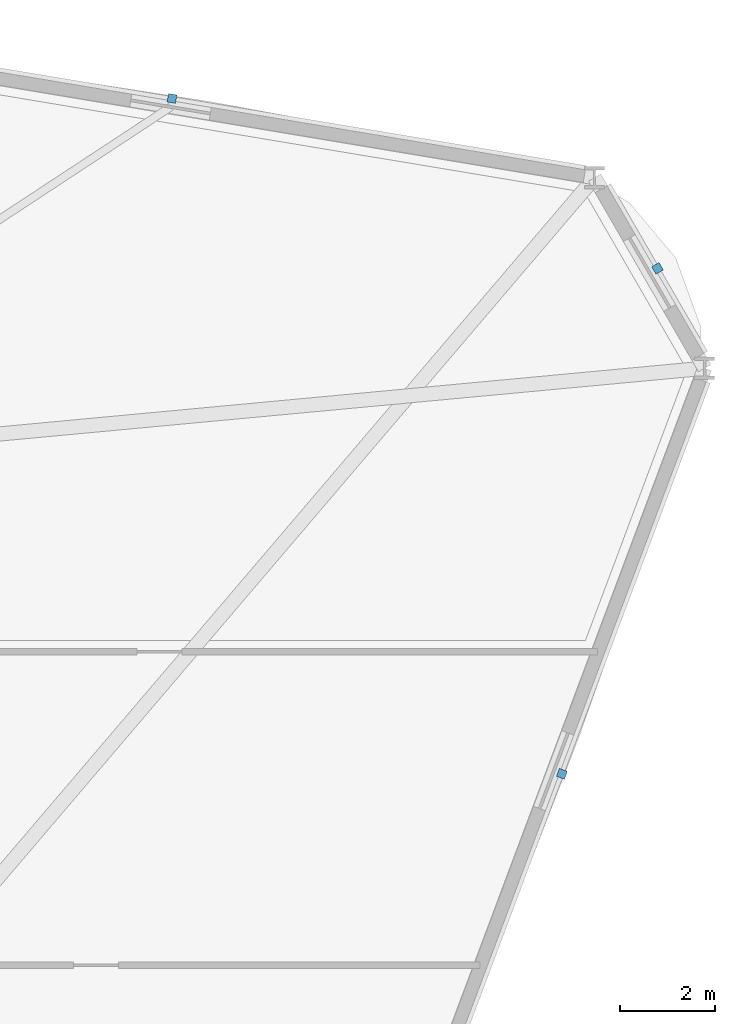
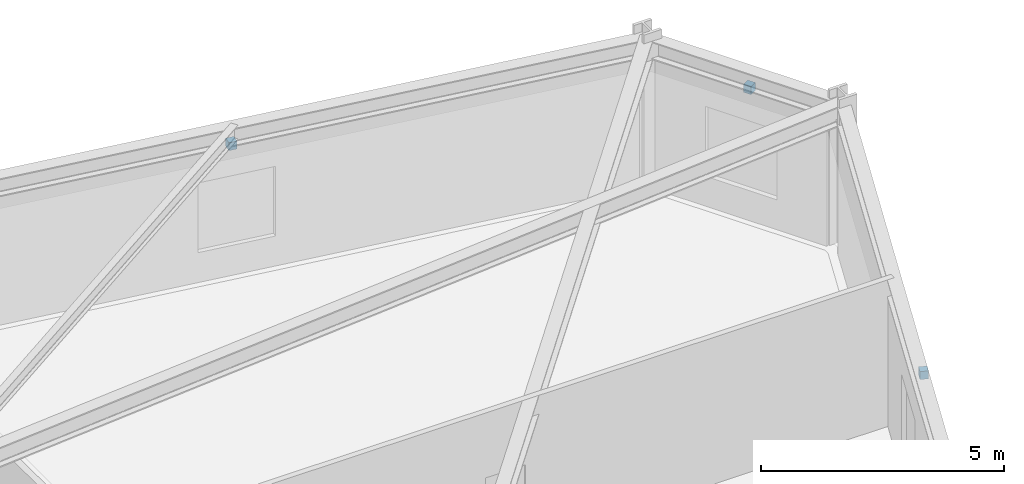
# One storey, part 17 of 20: 3 discrete accessories.
"""IFC4 building model written with IfcOpenShell, lengths in metres."""

import ifcopenshell
import ifcopenshell.guid

model = None  # the IFC model being written
_history = None  # IfcOwnerHistory: only IFC2X3 demands one
_inside = {}  # id of a spatial element -> (the spatial element, [elements in it])
_under = {}  # id of a project, library or spatial element -> (it, [spatial elements below it])
_declared = {}  # id of a project -> (the project, [libraries it declares])
_typed = {}  # id of a type object -> (the type object, [elements of that type])
_made_of = {}  # id of a material, layer set ... -> (it, [elements and type objects made of it])


def new_model(schema):
    """Start an empty IFC model of exactly this schema.

    Asked for "IFC4X3", IfcOpenShell would pick the latest addendum, in which some entities
    have other attributes; the version numbers below select the first issue.
    IFC2X3 requires an IfcOwnerHistory on every rooted entity: one is made here for all.
    """
    global model, _history
    if schema == "IFC4X3":
        model = ifcopenshell.file(schema_version=(4, 3, 0, 0))
    else:
        model = ifcopenshell.file(schema=schema)
    _inside.clear()
    _under.clear()
    _declared.clear()
    _typed.clear()
    _made_of.clear()
    _history = None
    if model.schema == "IFC2X3":
        org = make("IfcOrganization", Name="unknown")
        user = make(
            "IfcPersonAndOrganization",
            ThePerson=make("IfcPerson", FamilyName="unknown"),
            TheOrganization=org,
        )
        app = make(
            "IfcApplication",
            ApplicationDeveloper=org,
            Version="unknown",
            ApplicationFullName="unknown",
            ApplicationIdentifier="unknown",
        )
        _history = make(
            "IfcOwnerHistory",
            OwningUser=user,
            OwningApplication=app,
            ChangeAction="ADDED",
            CreationDate=0,
        )
    return model


def make(cls, **values):
    """One entity of the class cls with the attributes given. An attribute that is None is left unset."""
    return model.create_entity(
        cls, **{name: value for name, value in values.items() if value is not None}
    )


def rooted(cls, **values):
    """An entity with a GlobalId (a new one), such as an element, a storey or a relation."""
    return make(cls, GlobalId=ifcopenshell.guid.new(), OwnerHistory=_history, **values)


def si_unit(unit_type, name, prefix=None):
    """IfcSIUnit, for example si_unit("LENGTHUNIT", "METRE", prefix="MILLI")."""
    return make("IfcSIUnit", UnitType=unit_type, Prefix=prefix, Name=name)


def derived_unit(unit_type, elements):
    """IfcDerivedUnit: a product of units, each with its exponent."""
    return make(
        "IfcDerivedUnit",
        Elements=[
            make("IfcDerivedUnitElement", Unit=unit, Exponent=power)
            for unit, power in elements
        ],
        UnitType=unit_type,
    )


def assignment(units):
    """IfcUnitAssignment: the units of a project."""
    return None if units is None else make("IfcUnitAssignment", Units=units)


def point(xyz):
    """IfcCartesianPoint."""
    return None if xyz is None else make("IfcCartesianPoint", Coordinates=xyz)


def direction(xyz):
    """IfcDirection."""
    return None if xyz is None else make("IfcDirection", DirectionRatios=xyz)


def frame(location, z_axis=None, x_axis=None):
    """IfcAxis2Placement3D, a coordinate frame: its origin and axes. An axis left out is left unset."""
    return make(
        "IfcAxis2Placement3D",
        Location=point(location),
        Axis=direction(z_axis),
        RefDirection=direction(x_axis),
    )


def frame_2d(location, x_axis=None):
    """IfcAxis2Placement2D, a coordinate frame in the plane: its origin and x axis."""
    return make(
        "IfcAxis2Placement2D", Location=point(location), RefDirection=direction(x_axis)
    )


def origin():
    """The frame at (0, 0, 0) with its axes left unset."""
    return frame((0.0, 0.0, 0.0))


def origin_2d():
    """The frame at (0, 0) in the plane with its x axis left unset."""
    return frame_2d((0.0, 0.0))


def place(relative_to, where):
    """IfcLocalPlacement: puts the frame where relative to a parent placement (None: the world)."""
    return make(
        "IfcLocalPlacement", PlacementRelTo=relative_to, RelativePlacement=where
    )


def context(
    kind, dimensions, precision=None, world=None, true_north=None, identifier=None
):
    """IfcGeometricRepresentationContext, for example the 3D "Model" context."""
    return make(
        "IfcGeometricRepresentationContext",
        ContextIdentifier=identifier,
        ContextType=kind,
        CoordinateSpaceDimension=dimensions,
        Precision=precision,
        WorldCoordinateSystem=world,
        TrueNorth=true_north,
    )


def subcontext(parent, identifier, kind, view, scale=None):
    """IfcGeometricRepresentationSubContext, for example "Body" below "Model"."""
    return make(
        "IfcGeometricRepresentationSubContext",
        ContextIdentifier=identifier,
        ContextType=kind,
        ParentContext=parent,
        TargetScale=scale,
        TargetView=view,
    )


def project(units=None, contexts=None):
    """IfcProject with its units and contexts."""
    return rooted(
        "IfcProject",
        Name="project",
        RepresentationContexts=contexts,
        UnitsInContext=assignment(units),
    )


def spatial(cls, under=None, at=None, **own):
    """A site, building, storey or space (cls), placed at a placement, below another one or the project."""
    s = rooted(cls, ObjectPlacement=at, **own)
    if under is not None:
        _under.setdefault(under.id(), (under, []))[1].append(s)
    return s


def profile(cls, at=None, kind="AREA", **sizes):
    """A parametric profile (cls). Its sizes go by their IFC names, for example OverallWidth=200.0."""
    return make(cls, ProfileType=kind, Position=at, **sizes)


def rectangle(**sizes):
    """IfcRectangleProfileDef."""
    return profile("IfcRectangleProfileDef", **sizes)


def extrude(swept, where, along, depth):
    """IfcExtrudedAreaSolid: the profile swept, set in the frame where, extruded along a direction by depth."""
    return make(
        "IfcExtrudedAreaSolid",
        SweptArea=swept,
        Position=where,
        ExtrudedDirection=direction(along),
        Depth=depth,
    )


def shape(context_of_items, identifier, shape_type, items):
    """IfcShapeRepresentation: the items that make up one representation, for example the "Body"."""
    return make(
        "IfcShapeRepresentation",
        ContextOfItems=context_of_items,
        RepresentationIdentifier=identifier,
        RepresentationType=shape_type,
        Items=items,
    )


def source(mapping_origin, context_of_items, identifier, shape_type, items):
    """IfcRepresentationMap: a shape defined once, which mapped items show again and again."""
    return make(
        "IfcRepresentationMap",
        MappingOrigin=mapping_origin,
        MappedRepresentation=shape(context_of_items, identifier, shape_type, items),
    )


def transform(
    local_origin,
    x_axis=None,
    y_axis=None,
    z_axis=None,
    scale=None,
    scale2=None,
    scale3=None,
    uniform=True,
):
    """IfcCartesianTransformationOperator3D, or its non-uniform kind. x_axis, y_axis, z_axis: its Axis1, 2, 3."""
    if uniform:
        return make(
            "IfcCartesianTransformationOperator3D",
            Axis1=direction(x_axis),
            Axis2=direction(y_axis),
            LocalOrigin=point(local_origin),
            Scale=scale,
            Axis3=direction(z_axis),
        )
    return make(
        "IfcCartesianTransformationOperator3DnonUniform",
        Axis1=direction(x_axis),
        Axis2=direction(y_axis),
        LocalOrigin=point(local_origin),
        Scale=scale,
        Axis3=direction(z_axis),
        Scale2=scale2,
        Scale3=scale3,
    )


def mapped(mapping_source, mapping_target):
    """IfcMappedItem: shows the shape of a source again, moved by a transform."""
    return make(
        "IfcMappedItem", MappingSource=mapping_source, MappingTarget=mapping_target
    )


def material(Name=None, Category=None):
    """IfcMaterial."""
    return make("IfcMaterial", Name=Name, Category=Category)


def made_of(thing, what):
    """Note that an element or type object is made of a material, layer set ...; save() writes the relation."""
    if what is not None:
        _made_of.setdefault(what.id(), (what, []))[1].append(thing)
    return thing


def type_object(cls, material=None, **own):
    """A type object (cls), such as IfcWallType, which elements share."""
    return made_of(rooted(cls, **own), material)


def element(
    cls,
    number,
    at=None,
    inside=None,
    cuts=None,
    type_object=None,
    material=None,
    context=None,
    identifier="Body",
    shape_type=None,
    held_by="IfcProductDefinitionShape",
    body=None,
    shapes=None,
    **own,
):
    """One element of the class cls, such as IfcWall. Its Tag is "e" and its number.

    at: its placement. inside: the storey or other place that contains it. cuts: it is an
    opening in that element (IfcRelVoidsElement). A single representation is given by context,
    identifier, shape_type and body (its items); several are given by shapes. held_by: the class
    of the entity that holds the representations. save() writes the other relations.
    """
    e = rooted(cls, Tag="e%d" % number, ObjectPlacement=at, **own)
    if body is not None:
        shapes = [shape(context, identifier, shape_type, body)]
    if shapes is not None:
        e.Representation = make(held_by, Representations=shapes)
    if inside is not None:
        _inside.setdefault(inside.id(), (inside, []))[1].append(e)
    if cuts is not None:
        rooted(
            "IfcRelVoidsElement", RelatingBuildingElement=cuts, RelatedOpeningElement=e
        )
    if type_object is not None:
        _typed.setdefault(type_object.id(), (type_object, []))[1].append(e)
    return made_of(e, material)


def aggregate(whole, parts):
    """IfcRelAggregates: a whole, such as a stair, and the parts it consists of."""
    return rooted("IfcRelAggregates", RelatingObject=whole, RelatedObjects=parts)


def save(model, path):
    """Write the relations noted so far, then the file.

    IfcRelAggregates (storeys below a building ...), IfcRelContainedInSpatialStructure (elements
    in a storey), IfcRelDefinesByType, IfcRelAssociatesMaterial and IfcRelDeclares: one each for
    every whole, place, type object, material and project.
    """
    for whole, parts in _under.values():
        aggregate(whole, parts)
    for where, things in _inside.values():
        rooted(
            "IfcRelContainedInSpatialStructure",
            RelatedElements=things,
            RelatingStructure=where,
        )
    for kind, things in _typed.values():
        rooted("IfcRelDefinesByType", RelatedObjects=things, RelatingType=kind)
    for what, things in _made_of.values():
        rooted("IfcRelAssociatesMaterial", RelatedObjects=things, RelatingMaterial=what)
    for by, libraries in _declared.values():
        rooted("IfcRelDeclares", RelatingContext=by, RelatedDefinitions=libraries)
    model.write(path)


model = new_model("IFC4")

# Units and contexts
model_context = context("Model", 3, precision=1e-05, world=origin(), true_north=direction((0.0, 1.0)))
body_context = subcontext(model_context, "Body", "Model", "MODEL_VIEW")
ifc_project = project(units=[si_unit("LENGTHUNIT", "METRE"), si_unit("AREAUNIT", "SQUARE_METRE"), si_unit("VOLUMEUNIT", "CUBIC_METRE"), si_unit("PLANEANGLEUNIT", "RADIAN"), si_unit("MASSUNIT", "GRAM", prefix="KILO"), derived_unit("THERMALTRANSMITTANCEUNIT", [(si_unit("POWERUNIT", "WATT"), 1), (si_unit("LENGTHUNIT", "METRE"), -2), (si_unit("THERMODYNAMICTEMPERATUREUNIT", "KELVIN"), -1)])], contexts=[model_context])

# Site, building, storey
site_placement = place(None, origin())
site = spatial("IfcSite", under=ifc_project, at=site_placement, CompositionType="ELEMENT")
building_placement = place(site_placement, origin())
building = spatial("IfcBuilding", under=site, at=building_placement, Name="Korsvarv Bourse and Concert Hall", CompositionType="ELEMENT")
storey_placement = place(building_placement, frame((0.0, 0.0, 67.800048828125)))
storey = spatial("IfcBuildingStorey", under=building, at=storey_placement, Name="L16", CompositionType="ELEMENT", Elevation=67.800048828125)

# Discrete accessories
ifc_material = material(Name="Stainless Steel S355 facade outrigger bracket", Category="steel")
discrete_accessory_type = type_object("IfcDiscreteAccessoryType", Name="ACC-BRK-1", PredefinedType="BRACKET", material=ifc_material)
shared_shape = source(origin(), body_context, "Body", "SweptSolid", [
    extrude(rectangle(XDim=0.179931640625, YDim=0.179931640625, at=origin_2d()), origin(), (0.0, 0.0, 1.0), 0.199951171875),
])
for number, where, z_axis, x_axis, name in (
    (1, (67.021728515625, 51.485595703125, 2.97021484375), (0.0, 0.0, 1.0), (-0.5, 0.866025403784, 0.0), "L16 terracotta sunshade bracket EW-L16-B01"),
    (2, (56.791748046875, 55.0654296875, 2.97021484375), (0.0, 0.0, 1.0), (-0.986400586142, 0.164359008451, 0.0), "L16 terracotta sunshade bracket EW-L16-B02"),
    (3, (65.007080078125, 40.836181640625, 2.97021484375), (0.0, 0.0, 1.0), (0.350861216412, 0.936427470132, 0.0), "L16 terracotta sunshade bracket EW-L16-B12"),
):
    element("IfcDiscreteAccessory", number, at=place(storey_placement, frame(where, z_axis=z_axis, x_axis=x_axis)), inside=storey, type_object=discrete_accessory_type, Name=name, PredefinedType="BRACKET", context=body_context, shape_type="MappedRepresentation", body=[
        mapped(shared_shape, transform((0.0, 0.0, 0.0), scale=1.0)),
    ])

save(model, "model.ifc")
